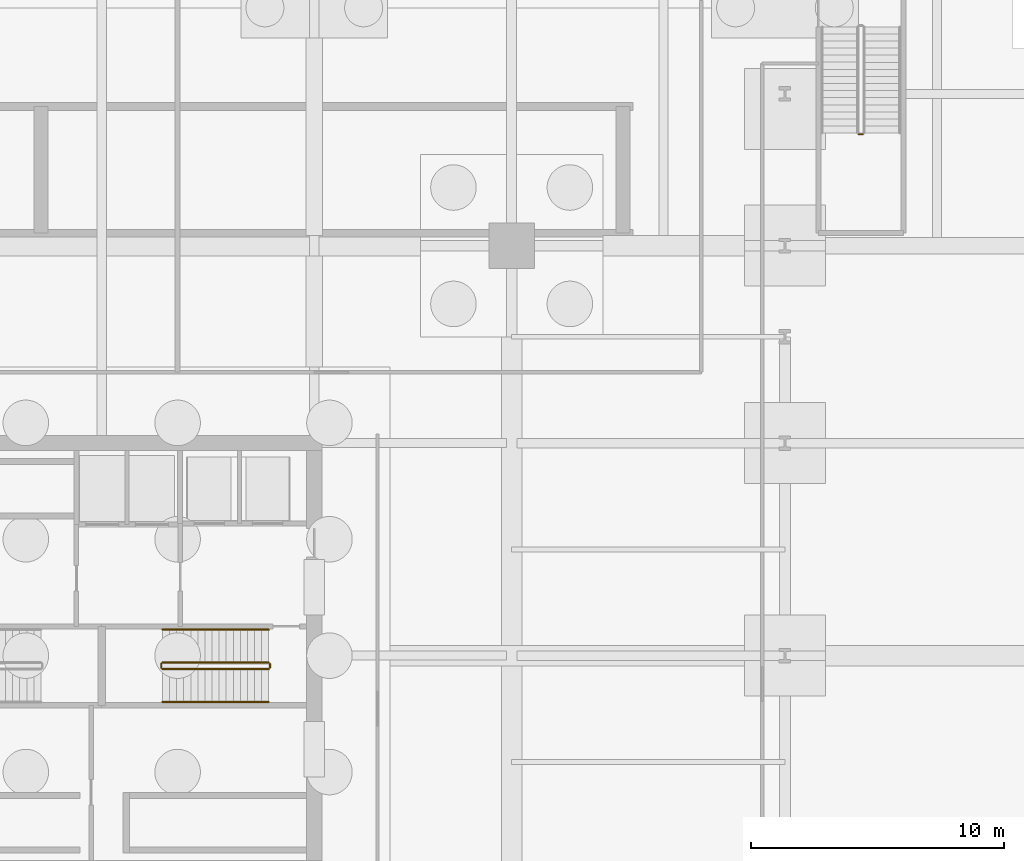
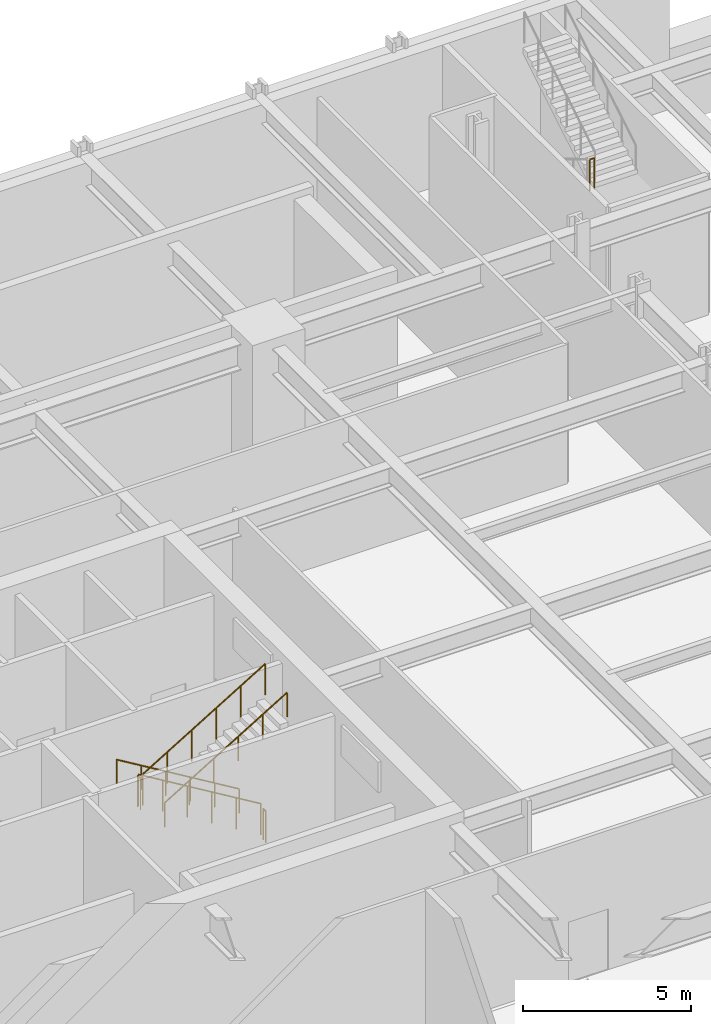
# One storey, part 7 of 9: 7 railings.
"""IFC4 building model written with IfcOpenShell, lengths in metres."""

from ifc_helpers import new_model, si_unit, direction, frame, origin, origin_2d, place, context, subcontext, project, spatial, circle, extrude, material, type_object, element, save


model = new_model("IFC4")

# Units and contexts
model_context = context("Model", 3, precision=1e-05, world=origin(), true_north=direction((0.0, 1.0)))
body_context = subcontext(model_context, "Body", "Model", "MODEL_VIEW")
ifc_project = project(units=[si_unit("LENGTHUNIT", "METRE"), si_unit("AREAUNIT", "SQUARE_METRE"), si_unit("VOLUMEUNIT", "CUBIC_METRE"), si_unit("PLANEANGLEUNIT", "RADIAN"), si_unit("MASSUNIT", "GRAM", prefix="KILO")], contexts=[model_context])

# Site, building, storey
site_placement = place(None, origin())
site = spatial("IfcSite", under=ifc_project, at=site_placement, CompositionType="ELEMENT")
building_placement = place(site_placement, origin())
building = spatial("IfcBuilding", under=site, at=building_placement, Name="Drelvath Grand Hotel", CompositionType="ELEMENT")
storey_placement = place(building_placement, frame((0.0, 0.0, -10.800048828125)))
storey = spatial("IfcBuildingStorey", under=building, at=storey_placement, Name="B2", CompositionType="ELEMENT", Elevation=-10.800048828125)

# Railings
ifc_material = material(Name="Painted Steel S275", Category="steel")
railing_type_1 = type_object("IfcRailingType", Name="Core Stair Wall Handrail 900", PredefinedType="HANDRAIL", material=ifc_material)
railing_1_placement = place(storey_placement, frame((6.60009765625, 28.030029296875, 0.168701171875)))
element("IfcRailing", 1, at=railing_1_placement, inside=storey, type_object=railing_type_1, Name="B2 ST-2 stair handrail 1", PredefinedType="HANDRAIL", context=body_context, shape_type="SweptSolid", body=[
    extrude(circle(Radius=0.02392578125, at=origin_2d()), frame((0.0, 0.0, 0.8759765625), z_axis=(-0.856489757249, 0.0, 0.516164020179), x_axis=(0.0, -1.0, 0.0)), (0.0, 0.0, 1.0), 4.904052734375),
    extrude(circle(Radius=0.02099609375, at=origin_2d()), origin(), (0.0, 0.0, 1.0), 0.851806640625),
    extrude(circle(Radius=0.02099609375, at=origin_2d()), frame((-0.840087890625, 0.0, 0.50634765625)), (0.0, 0.0, 1.0), 0.851806640625),
    extrude(circle(Radius=0.02099609375, at=origin_2d()), frame((-1.68017578125, 0.0, 1.012451171875)), (0.0, 0.0, 1.0), 0.851806640625),
    extrude(circle(Radius=0.02099609375, at=origin_2d()), frame((-2.52001953125, 0.0, 1.518798828125)), (0.0, 0.0, 1.0), 0.851806640625),
    extrude(circle(Radius=0.02099609375, at=origin_2d()), frame((-3.360107421875, 0.0, 2.02490234375)), (0.0, 0.0, 1.0), 0.851806640625),
    extrude(circle(Radius=0.02099609375, at=origin_2d()), frame((-4.2001953125, 0.0, 2.53125)), (0.0, 0.0, 1.0), 0.851806640625),
])
railing_2_placement = place(storey_placement, frame((2.39990234375, 25.169921875, 2.868896484375)))
element("IfcRailing", 2, at=railing_2_placement, inside=storey, type_object=railing_type_1, Name="B2 ST-2 stair handrail 2", PredefinedType="HANDRAIL", context=body_context, shape_type="SweptSolid", body=[
    extrude(circle(Radius=0.02392578125, at=origin_2d()), frame((0.0, 0.0, 0.8759765625), z_axis=(0.856489757249, 0.0, 0.516164020179), x_axis=(0.0, 1.0, 0.0)), (0.0, 0.0, 1.0), 4.904052734375),
    extrude(circle(Radius=0.02099609375, at=origin_2d()), origin(), (0.0, 0.0, 1.0), 0.851806640625),
    extrude(circle(Radius=0.02099609375, at=origin_2d()), frame((0.840087890625, 0.0, 0.50634765625)), (0.0, 0.0, 1.0), 0.851806640625),
    extrude(circle(Radius=0.02099609375, at=origin_2d()), frame((1.68017578125, 0.0, 1.012451171875)), (0.0, 0.0, 1.0), 0.851806640625),
    extrude(circle(Radius=0.02099609375, at=origin_2d()), frame((2.52001953125, 0.0, 1.518798828125)), (0.0, 0.0, 1.0), 0.851806640625),
    extrude(circle(Radius=0.02099609375, at=origin_2d()), frame((3.360107421875, 0.0, 2.02490234375)), (0.0, 0.0, 1.0), 0.851806640625),
    extrude(circle(Radius=0.02099609375, at=origin_2d()), frame((4.2001953125, 0.0, 2.53125)), (0.0, 0.0, 1.0), 0.851806640625),
])
railing_type_2 = type_object("IfcRailingType", Name="Core Stair Well Guardrail 1100", PredefinedType="GUARDRAIL", material=ifc_material)
railing_3_placement = place(storey_placement, frame((6.60009765625, 26.72998046875, 0.168701171875)))
element("IfcRailing", 3, at=railing_3_placement, inside=storey, type_object=railing_type_2, Name="B2 ST-2 stair guard 1", PredefinedType="GUARDRAIL", context=body_context, shape_type="SweptSolid", body=[
    extrude(circle(Radius=0.02392578125, at=origin_2d()), frame((0.0, 0.0, 1.1259765625), z_axis=(-0.856489757249, 0.0, 0.516164020179), x_axis=(0.0, -1.0, 0.0)), (0.0, 0.0, 1.0), 4.904052734375),
    extrude(circle(Radius=0.02099609375, at=origin_2d()), origin(), (0.0, 0.0, 1.0), 1.101806640625),
    extrude(circle(Radius=0.02099609375, at=origin_2d()), frame((-0.840087890625, 0.0, 0.50634765625)), (0.0, 0.0, 1.0), 1.101806640625),
    extrude(circle(Radius=0.02099609375, at=origin_2d()), frame((-1.68017578125, 0.0, 1.012451171875)), (0.0, 0.0, 1.0), 1.101806640625),
    extrude(circle(Radius=0.02099609375, at=origin_2d()), frame((-2.52001953125, 0.0, 1.518798828125)), (0.0, 0.0, 1.0), 1.101806640625),
    extrude(circle(Radius=0.02099609375, at=origin_2d()), frame((-3.360107421875, 0.0, 2.02490234375)), (0.0, 0.0, 1.0), 1.101806640625),
    extrude(circle(Radius=0.02099609375, at=origin_2d()), frame((-4.2001953125, 0.0, 2.53125)), (0.0, 0.0, 1.0), 1.101806640625),
])
railing_4_placement = place(storey_placement, frame((2.35009765625, 26.679931640625, 2.699951171875)))
element("IfcRailing", 4, at=railing_4_placement, inside=storey, type_object=railing_type_2, Name="B2 ST-2 stair guard 2", PredefinedType="GUARDRAIL", context=body_context, shape_type="SweptSolid", body=[
    extrude(circle(Radius=0.02392578125, at=origin_2d()), frame((0.0, 0.0, 1.1259765625), z_axis=(0.0, -1.0, 0.0), x_axis=(1.0, 0.0, 0.0)), (0.0, 0.0, 1.0), 0.159912109375),
    extrude(circle(Radius=0.02099609375, at=origin_2d()), origin(), (0.0, 0.0, 1.0), 1.101806640625),
    extrude(circle(Radius=0.02099609375, at=origin_2d()), frame((0.0, -0.159912109375, 0.0)), (0.0, 0.0, 1.0), 1.101806640625),
])
railing_5_placement = place(storey_placement, frame((2.39990234375, 26.469970703125, 2.868896484375)))
element("IfcRailing", 5, at=railing_5_placement, inside=storey, type_object=railing_type_2, Name="B2 ST-2 stair guard 3", PredefinedType="GUARDRAIL", context=body_context, shape_type="SweptSolid", body=[
    extrude(circle(Radius=0.02392578125, at=origin_2d()), frame((0.0, 0.0, 1.1259765625), z_axis=(0.856489757249, 0.0, 0.516164020179), x_axis=(0.0, 1.0, 0.0)), (0.0, 0.0, 1.0), 4.904052734375),
    extrude(circle(Radius=0.02099609375, at=origin_2d()), origin(), (0.0, 0.0, 1.0), 1.101806640625),
    extrude(circle(Radius=0.02099609375, at=origin_2d()), frame((0.840087890625, 0.0, 0.50634765625)), (0.0, 0.0, 1.0), 1.101806640625),
    extrude(circle(Radius=0.02099609375, at=origin_2d()), frame((1.68017578125, 0.0, 1.012451171875)), (0.0, 0.0, 1.0), 1.101806640625),
    extrude(circle(Radius=0.02099609375, at=origin_2d()), frame((2.52001953125, 0.0, 1.518798828125)), (0.0, 0.0, 1.0), 1.101806640625),
    extrude(circle(Radius=0.02099609375, at=origin_2d()), frame((3.360107421875, 0.0, 2.02490234375)), (0.0, 0.0, 1.0), 1.101806640625),
    extrude(circle(Radius=0.02099609375, at=origin_2d()), frame((4.2001953125, 0.0, 2.53125)), (0.0, 0.0, 1.0), 1.101806640625),
])
railing_6_placement = place(storey_placement, frame((6.64990234375, 26.679931640625, 0.0)))
element("IfcRailing", 6, at=railing_6_placement, inside=storey, type_object=railing_type_2, Name="B2 ST-2 stair guard 4", PredefinedType="GUARDRAIL", context=body_context, shape_type="SweptSolid", body=[
    extrude(circle(Radius=0.02392578125, at=origin_2d()), frame((0.0, 0.0, 1.1259765625), z_axis=(0.0, -1.0, 0.0), x_axis=(1.0, 0.0, 0.0)), (0.0, 0.0, 1.0), 0.159912109375),
    extrude(circle(Radius=0.02099609375, at=origin_2d()), origin(), (0.0, 0.0, 1.0), 1.101806640625),
    extrude(circle(Radius=0.02099609375, at=origin_2d()), frame((0.0, -0.159912109375, 0.0)), (0.0, 0.0, 1.0), 1.101806640625),
])
railing_7_placement = place(storey_placement, frame((29.919921875, 47.60009765625, 2.699951171875)))
element("IfcRailing", 7, at=railing_7_placement, inside=storey, type_object=railing_type_2, Name="B2 ST-4 stair guard 2", PredefinedType="GUARDRAIL", context=body_context, shape_type="SweptSolid", body=[
    extrude(circle(Radius=0.02392578125, at=origin_2d()), frame((0.0, 0.0, 1.1259765625), z_axis=(1.0, 0.0, 0.0), x_axis=(0.0, 1.0, 0.0)), (0.0, 0.0, 1.0), 0.16015625),
    extrude(circle(Radius=0.02099609375, at=origin_2d()), origin(), (0.0, 0.0, 1.0), 1.101806640625),
    extrude(circle(Radius=0.02099609375, at=origin_2d()), frame((0.16015625, 0.0, 0.0)), (0.0, 0.0, 1.0), 1.101806640625),
])

save(model, "model.ifc")
